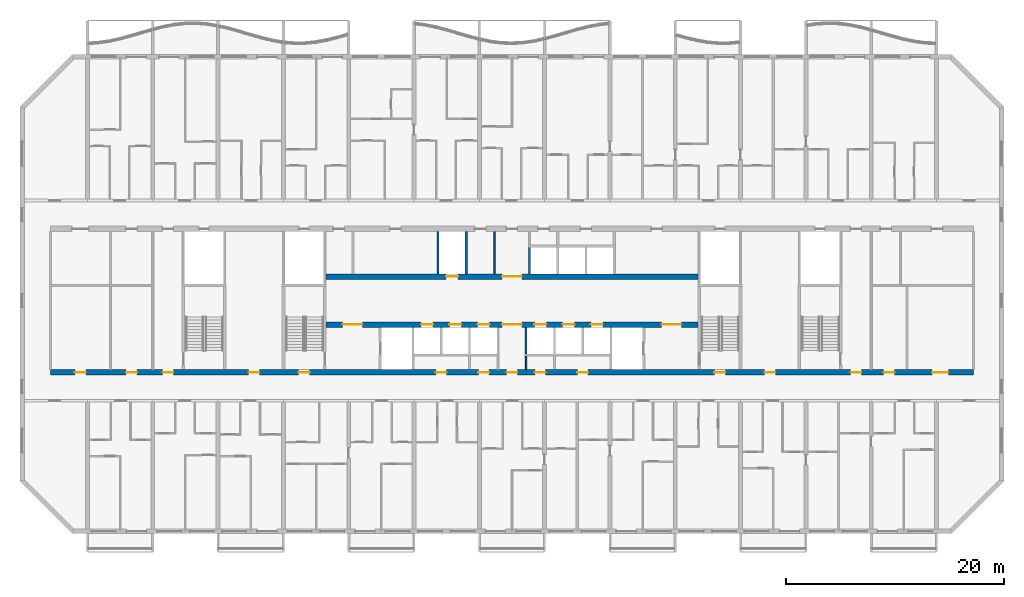
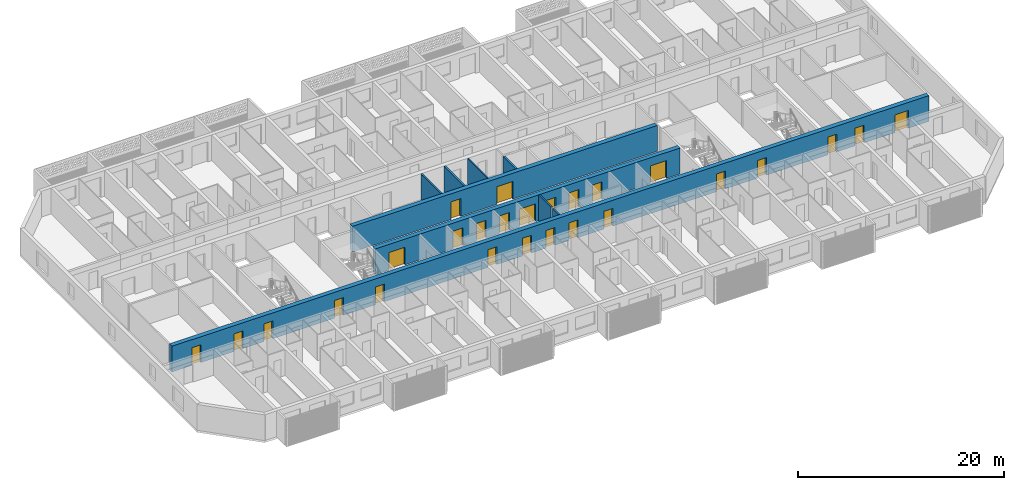
# One storey, part 7 of 27: 26 doors, 9 walls, 26 openings.
"""IFC4 building model written with IfcOpenShell, lengths in metres."""

from ifc_helpers import new_model, si_unit, direction, frame, frame_2d, origin, place, context, subcontext, project, spatial, rectangle, extrude, material, layer, layer_set, type_object, element, fill, save


model = new_model("IFC4")

# Units and contexts
model_context = context("Model", 3, precision=1e-05, world=origin(), true_north=direction((0.0, 1.0)))
body_context = subcontext(model_context, "Body", "Model", "MODEL_VIEW")
ifc_project = project(units=[si_unit("LENGTHUNIT", "METRE"), si_unit("AREAUNIT", "SQUARE_METRE"), si_unit("VOLUMEUNIT", "CUBIC_METRE"), si_unit("PLANEANGLEUNIT", "RADIAN"), si_unit("MASSUNIT", "GRAM", prefix="KILO")], contexts=[model_context])

# Site, building, storey
site_placement = place(None, origin())
site = spatial("IfcSite", under=ifc_project, at=site_placement, CompositionType="ELEMENT")
building_placement = place(site_placement, origin())
building = spatial("IfcBuilding", under=site, at=building_placement, Name="Poui Terraces", CompositionType="ELEMENT")
storey_placement = place(building_placement, frame((0.0, 0.0, 76.199951171875)))
storey = spatial("IfcBuildingStorey", under=building, at=storey_placement, Name="L20", CompositionType="ELEMENT", Elevation=76.199951171875)

# Wall, openings, doors
ifc_material_1 = material(Name="Concrete 65 MPa", Category="concrete")
ifc_layer_1 = layer(ifc_material_1, 0.5)
ifc_layer_set_1 = layer_set([ifc_layer_1], Name="Concrete 65 MPa")
wall_type_1 = type_object("IfcWallType", Name="CORE WALL 500 65 MPA", PredefinedType="SOLIDWALL", material=ifc_layer_set_1)
wall_1_placement = place(storey_placement, frame((33.925048828125, 19.0, 0.0), z_axis=(0.0, 0.0, 1.0), x_axis=(1.0, 0.0, 0.0)))
wall_1 = element("IfcWall", 1, at=wall_1_placement, inside=storey, type_object=wall_type_1, Name="CORE WALL", PredefinedType="SOLIDWALL", context=body_context, shape_type="SweptSolid", body=[
    extrude(rectangle(XDim=34.14990234375, YDim=0.5, at=frame_2d((17.074951171875, 0.0))), origin(), (0.0, 0.0, 1.0), 3.06005859375),
])
opening_1_placement = place(wall_1_placement, frame((16.175048828125, 0.0, 0.0)))
opening_1 = element("IfcOpeningElement", 2, at=opening_1_placement, cuts=wall_1, Name="Opening FDD60", PredefinedType="OPENING", context=body_context, shape_type="SweptSolid", body=[
    extrude(rectangle(XDim=1.800048828125, YDim=2.10009765625, at=frame_2d((0.89990234375, 1.050048828125))), frame((0.0, 0.260009765625, 0.0), z_axis=(0.0, -1.0, 0.0), x_axis=(1.0, 0.0, 0.0)), (0.0, 0.0, 1.0), 0.52001953125),
])
opening_2_placement = place(wall_1_placement, frame((1.52490234375, 0.0, 0.0)))
opening_2 = element("IfcOpeningElement", 3, at=opening_2_placement, cuts=wall_1, Name="Opening FDD60", PredefinedType="OPENING", context=body_context, shape_type="SweptSolid", body=[
    extrude(rectangle(XDim=1.800048828125, YDim=2.10009765625, at=frame_2d((0.89990234375, 1.050048828125))), frame((0.0, 0.260009765625, 0.0), z_axis=(0.0, -1.0, 0.0), x_axis=(1.0, 0.0, 0.0)), (0.0, 0.0, 1.0), 0.52001953125),
])
opening_3_placement = place(wall_1_placement, frame((8.72509765625, 0.0, 0.0)))
opening_3 = element("IfcOpeningElement", 4, at=opening_3_placement, cuts=wall_1, Name="Opening LD", PredefinedType="OPENING", context=body_context, shape_type="SweptSolid", body=[
    extrude(rectangle(XDim=1.10009765625, YDim=2.10009765625, at=frame_2d((0.550048828125, 1.050048828125))), frame((0.0, 0.260009765625, 0.0), z_axis=(0.0, -1.0, 0.0), x_axis=(1.0, 0.0, 0.0)), (0.0, 0.0, 1.0), 0.52001953125),
])
opening_4_placement = place(wall_1_placement, frame((11.324951171875, 0.0, 0.0)))
opening_4 = element("IfcOpeningElement", 5, at=opening_4_placement, cuts=wall_1, Name="Opening LD", PredefinedType="OPENING", context=body_context, shape_type="SweptSolid", body=[
    extrude(rectangle(XDim=1.10009765625, YDim=2.10009765625, at=frame_2d((0.550048828125, 1.050048828125))), frame((0.0, 0.260009765625, 0.0), z_axis=(0.0, -1.0, 0.0), x_axis=(1.0, 0.0, 0.0)), (0.0, 0.0, 1.0), 0.52001953125),
])
opening_5_placement = place(wall_1_placement, frame((13.925048828125, 0.0, 0.0)))
opening_5 = element("IfcOpeningElement", 6, at=opening_5_placement, cuts=wall_1, Name="Opening LD", PredefinedType="OPENING", context=body_context, shape_type="SweptSolid", body=[
    extrude(rectangle(XDim=1.10009765625, YDim=2.10009765625, at=frame_2d((0.550048828125, 1.050048828125))), frame((0.0, 0.260009765625, 0.0), z_axis=(0.0, -1.0, 0.0), x_axis=(1.0, 0.0, 0.0)), (0.0, 0.0, 1.0), 0.52001953125),
])
opening_6_placement = place(wall_1_placement, frame((19.125, 0.0, 0.0)))
opening_6 = element("IfcOpeningElement", 7, at=opening_6_placement, cuts=wall_1, Name="Opening LD", PredefinedType="OPENING", context=body_context, shape_type="SweptSolid", body=[
    extrude(rectangle(XDim=1.10009765625, YDim=2.10009765625, at=frame_2d((0.550048828125, 1.050048828125))), frame((0.0, 0.260009765625, 0.0), z_axis=(0.0, -1.0, 0.0), x_axis=(1.0, 0.0, 0.0)), (0.0, 0.0, 1.0), 0.52001953125),
])
opening_7_placement = place(wall_1_placement, frame((21.72509765625, 0.0, 0.0)))
opening_7 = element("IfcOpeningElement", 8, at=opening_7_placement, cuts=wall_1, Name="Opening LD", PredefinedType="OPENING", context=body_context, shape_type="SweptSolid", body=[
    extrude(rectangle(XDim=1.10009765625, YDim=2.10009765625, at=frame_2d((0.550048828125, 1.050048828125))), frame((0.0, 0.260009765625, 0.0), z_axis=(0.0, -1.0, 0.0), x_axis=(1.0, 0.0, 0.0)), (0.0, 0.0, 1.0), 0.52001953125),
])
opening_8_placement = place(wall_1_placement, frame((24.324951171875, 0.0, 0.0)))
opening_8 = element("IfcOpeningElement", 9, at=opening_8_placement, cuts=wall_1, Name="Opening LD", PredefinedType="OPENING", context=body_context, shape_type="SweptSolid", body=[
    extrude(rectangle(XDim=1.10009765625, YDim=2.10009765625, at=frame_2d((0.550048828125, 1.050048828125))), frame((0.0, 0.260009765625, 0.0), z_axis=(0.0, -1.0, 0.0), x_axis=(1.0, 0.0, 0.0)), (0.0, 0.0, 1.0), 0.52001953125),
])
opening_9_placement = place(wall_1_placement, frame((30.824951171875, 0.0, 0.0)))
opening_9 = element("IfcOpeningElement", 10, at=opening_9_placement, cuts=wall_1, Name="Opening FDD60", PredefinedType="OPENING", context=body_context, shape_type="SweptSolid", body=[
    extrude(rectangle(XDim=1.800048828125, YDim=2.10009765625, at=frame_2d((0.89990234375, 1.050048828125))), frame((0.0, 0.260009765625, 0.0), z_axis=(0.0, -1.0, 0.0), x_axis=(1.0, 0.0, 0.0)), (0.0, 0.0, 1.0), 0.52001953125),
])
ifc_material_2 = material(Name="Steel fire door", Category="steel")
door_type_1 = type_object("IfcDoorType", Name="DOUBLE LOBBY FIRE DOOR 1800 X 2100", OperationType="DOUBLE_DOOR_SINGLE_SWING", PredefinedType="DOOR", material=ifc_material_2)
door_1_placement = place(opening_1_placement, frame((1.800048828125, 0.0, 0.0), z_axis=(0.0, 0.0, 1.0), x_axis=(-1.0, 0.0, 0.0)))
door_1 = element("IfcDoor", 11, at=door_1_placement, inside=storey, type_object=door_type_1, Name="DOUBLE LOBBY FIRE DOOR 140", OperationType="DOUBLE_DOOR_SINGLE_SWING", OverallHeight=2.10009765625, OverallWidth=1.800048828125, PredefinedType="DOOR", context=body_context, shape_type="SweptSolid", body=[
    extrude(rectangle(XDim=1.800048828125, YDim=2.10009765625, at=frame_2d((0.89990234375, 1.050048828125))), frame((0.0, 0.02490234375, 0.0), z_axis=(0.0, -1.0, 0.0), x_axis=(1.0, 0.0, 0.0)), (0.0, 0.0, 1.0), 0.050048828125),
])
fill(opening_1, door_1)
door_2_placement = place(opening_2_placement, origin())
door_2 = element("IfcDoor", 12, at=door_2_placement, inside=storey, type_object=door_type_1, Name="DOUBLE LOBBY FIRE DOOR 141", OperationType="DOUBLE_DOOR_SINGLE_SWING", OverallHeight=2.10009765625, OverallWidth=1.800048828125, PredefinedType="DOOR", context=body_context, shape_type="SweptSolid", body=[
    extrude(rectangle(XDim=1.800048828125, YDim=2.10009765625, at=frame_2d((0.89990234375, 1.050048828125))), frame((0.0, 0.02490234375, 0.0), z_axis=(0.0, -1.0, 0.0), x_axis=(1.0, 0.0, 0.0)), (0.0, 0.0, 1.0), 0.050048828125),
])
fill(opening_2, door_2)
door_3_placement = place(opening_9_placement, origin())
door_3 = element("IfcDoor", 13, at=door_3_placement, inside=storey, type_object=door_type_1, Name="DOUBLE LOBBY FIRE DOOR 149", OperationType="DOUBLE_DOOR_SINGLE_SWING", OverallHeight=2.10009765625, OverallWidth=1.800048828125, PredefinedType="DOOR", context=body_context, shape_type="SweptSolid", body=[
    extrude(rectangle(XDim=1.800048828125, YDim=2.10009765625, at=frame_2d((0.89990234375, 1.050048828125))), frame((0.0, 0.02490234375, 0.0), z_axis=(0.0, -1.0, 0.0), x_axis=(1.0, 0.0, 0.0)), (0.0, 0.0, 1.0), 0.050048828125),
])
fill(opening_9, door_3)
ifc_material_3 = material(Name="Stainless steel sliding door", Category="steel")
door_type_2 = type_object("IfcDoorType", Name="LIFT LANDING DOOR 1100 X 2100", OperationType="DOUBLE_DOOR_SLIDING", PredefinedType="DOOR", material=ifc_material_3)
door_4_placement = place(opening_3_placement, origin())
door_4 = element("IfcDoor", 14, at=door_4_placement, inside=storey, type_object=door_type_2, Name="LANDING DOOR", OperationType="DOUBLE_DOOR_SLIDING", OverallHeight=2.10009765625, OverallWidth=1.10009765625, PredefinedType="DOOR", context=body_context, shape_type="SweptSolid", body=[
    extrude(rectangle(XDim=1.10009765625, YDim=2.10009765625, at=frame_2d((0.550048828125, 1.050048828125))), frame((0.0, 0.02490234375, 0.0), z_axis=(0.0, -1.0, 0.0), x_axis=(1.0, 0.0, 0.0)), (0.0, 0.0, 1.0), 0.050048828125),
])
fill(opening_3, door_4)
door_5_placement = place(opening_4_placement, origin())
door_5 = element("IfcDoor", 15, at=door_5_placement, inside=storey, type_object=door_type_2, Name="LANDING DOOR", OperationType="DOUBLE_DOOR_SLIDING", OverallHeight=2.10009765625, OverallWidth=1.10009765625, PredefinedType="DOOR", context=body_context, shape_type="SweptSolid", body=[
    extrude(rectangle(XDim=1.10009765625, YDim=2.10009765625, at=frame_2d((0.550048828125, 1.050048828125))), frame((0.0, 0.02490234375, 0.0), z_axis=(0.0, -1.0, 0.0), x_axis=(1.0, 0.0, 0.0)), (0.0, 0.0, 1.0), 0.050048828125),
])
fill(opening_4, door_5)
door_6_placement = place(opening_5_placement, origin())
door_6 = element("IfcDoor", 16, at=door_6_placement, inside=storey, type_object=door_type_2, Name="LANDING DOOR", OperationType="DOUBLE_DOOR_SLIDING", OverallHeight=2.10009765625, OverallWidth=1.10009765625, PredefinedType="DOOR", context=body_context, shape_type="SweptSolid", body=[
    extrude(rectangle(XDim=1.10009765625, YDim=2.10009765625, at=frame_2d((0.550048828125, 1.050048828125))), frame((0.0, 0.02490234375, 0.0), z_axis=(0.0, -1.0, 0.0), x_axis=(1.0, 0.0, 0.0)), (0.0, 0.0, 1.0), 0.050048828125),
])
fill(opening_5, door_6)
door_7_placement = place(opening_6_placement, origin())
door_7 = element("IfcDoor", 17, at=door_7_placement, inside=storey, type_object=door_type_2, Name="LANDING DOOR", OperationType="DOUBLE_DOOR_SLIDING", OverallHeight=2.10009765625, OverallWidth=1.10009765625, PredefinedType="DOOR", context=body_context, shape_type="SweptSolid", body=[
    extrude(rectangle(XDim=1.10009765625, YDim=2.10009765625, at=frame_2d((0.550048828125, 1.050048828125))), frame((0.0, 0.02490234375, 0.0), z_axis=(0.0, -1.0, 0.0), x_axis=(1.0, 0.0, 0.0)), (0.0, 0.0, 1.0), 0.050048828125),
])
fill(opening_6, door_7)
door_8_placement = place(opening_7_placement, origin())
door_8 = element("IfcDoor", 18, at=door_8_placement, inside=storey, type_object=door_type_2, Name="LANDING DOOR", OperationType="DOUBLE_DOOR_SLIDING", OverallHeight=2.10009765625, OverallWidth=1.10009765625, PredefinedType="DOOR", context=body_context, shape_type="SweptSolid", body=[
    extrude(rectangle(XDim=1.10009765625, YDim=2.10009765625, at=frame_2d((0.550048828125, 1.050048828125))), frame((0.0, 0.02490234375, 0.0), z_axis=(0.0, -1.0, 0.0), x_axis=(1.0, 0.0, 0.0)), (0.0, 0.0, 1.0), 0.050048828125),
])
fill(opening_7, door_8)
door_9_placement = place(opening_8_placement, origin())
door_9 = element("IfcDoor", 19, at=door_9_placement, inside=storey, type_object=door_type_2, Name="LANDING DOOR", OperationType="DOUBLE_DOOR_SLIDING", OverallHeight=2.10009765625, OverallWidth=1.10009765625, PredefinedType="DOOR", context=body_context, shape_type="SweptSolid", body=[
    extrude(rectangle(XDim=1.10009765625, YDim=2.10009765625, at=frame_2d((0.550048828125, 1.050048828125))), frame((0.0, 0.02490234375, 0.0), z_axis=(0.0, -1.0, 0.0), x_axis=(1.0, 0.0, 0.0)), (0.0, 0.0, 1.0), 0.050048828125),
])
fill(opening_8, door_9)

wall_2_placement = place(storey_placement, frame((33.925048828125, 23.39990234375, 0.0), z_axis=(0.0, 0.0, 1.0), x_axis=(1.0, 0.0, 0.0)))
wall_2 = element("IfcWall", 20, at=wall_2_placement, inside=storey, type_object=wall_type_1, Name="CORE WALL", PredefinedType="SOLIDWALL", context=body_context, shape_type="SweptSolid", body=[
    extrude(rectangle(XDim=34.14990234375, YDim=0.5, at=frame_2d((17.074951171875, 0.0))), origin(), (0.0, 0.0, 1.0), 3.06005859375),
])
opening_10_placement = place(wall_2_placement, frame((16.175048828125, 0.0, 0.0)))
opening_10 = element("IfcOpeningElement", 21, at=opening_10_placement, cuts=wall_2, Name="Opening FDD60", PredefinedType="OPENING", context=body_context, shape_type="SweptSolid", body=[
    extrude(rectangle(XDim=1.800048828125, YDim=2.10009765625, at=frame_2d((0.89990234375, 1.050048828125))), frame((0.0, 0.260009765625, 0.0), z_axis=(0.0, -1.0, 0.0), x_axis=(1.0, 0.0, 0.0)), (0.0, 0.0, 1.0), 0.52001953125),
])
opening_11_placement = place(wall_2_placement, frame((11.02490234375, 0.0, 0.0)))
opening_11 = element("IfcOpeningElement", 22, at=opening_11_placement, cuts=wall_2, Name="Opening LD", PredefinedType="OPENING", context=body_context, shape_type="SweptSolid", body=[
    extrude(rectangle(XDim=1.10009765625, YDim=2.10009765625, at=frame_2d((0.550048828125, 1.050048828125))), frame((0.0, 0.260009765625, 0.0), z_axis=(0.0, -1.0, 0.0), x_axis=(1.0, 0.0, 0.0)), (0.0, 0.0, 1.0), 0.52001953125),
])
door_10_placement = place(opening_10_placement, origin())
door_10 = element("IfcDoor", 23, at=door_10_placement, inside=storey, type_object=door_type_1, Name="DOUBLE LOBBY FIRE DOOR 139", OperationType="DOUBLE_DOOR_SINGLE_SWING", OverallHeight=2.10009765625, OverallWidth=1.800048828125, PredefinedType="DOOR", context=body_context, shape_type="SweptSolid", body=[
    extrude(rectangle(XDim=1.800048828125, YDim=2.10009765625, at=frame_2d((0.89990234375, 1.050048828125))), frame((0.0, 0.02490234375, 0.0), z_axis=(0.0, -1.0, 0.0), x_axis=(1.0, 0.0, 0.0)), (0.0, 0.0, 1.0), 0.050048828125),
])
fill(opening_10, door_10)
door_11_placement = place(opening_11_placement, origin())
door_11 = element("IfcDoor", 24, at=door_11_placement, inside=storey, type_object=door_type_2, Name="LANDING DOOR", OperationType="DOUBLE_DOOR_SLIDING", OverallHeight=2.10009765625, OverallWidth=1.10009765625, PredefinedType="DOOR", context=body_context, shape_type="SweptSolid", body=[
    extrude(rectangle(XDim=1.10009765625, YDim=2.10009765625, at=frame_2d((0.550048828125, 1.050048828125))), frame((0.0, 0.02490234375, 0.0), z_axis=(0.0, -1.0, 0.0), x_axis=(1.0, 0.0, 0.0)), (0.0, 0.0, 1.0), 0.050048828125),
])
fill(opening_11, door_11)

# Walls
ifc_material_4 = material(Name="Fire-rated plasterboard wall")
ifc_layer_2 = layer(ifc_material_4, 0.14990234375)
ifc_layer_set_2 = layer_set([ifc_layer_2], Name="Fire-rated plasterboard wall")
wall_type_2 = type_object("IfcWallType", Name="CORRIDOR WALL 150", PredefinedType="PARTITIONING", material=ifc_layer_set_2)
wall_3_placement = place(storey_placement, frame((49.39990234375, 23.659912109375, 0.0), z_axis=(0.0, 0.0, 1.0), x_axis=(0.0, 1.0, 0.0)))
element("IfcWall", 25, at=wall_3_placement, inside=storey, type_object=wall_type_2, Name="CORRIDOR WALL 150", PredefinedType="PARTITIONING", context=body_context, shape_type="SweptSolid", body=[
    extrude(rectangle(XDim=3.880126953125, YDim=0.14990234375, at=frame_2d((1.93994140625, 0.0))), origin(), (0.0, 0.0, 1.0), 3.06005859375),
])
wall_4_placement = place(storey_placement, frame((52.300048828125, 14.860107421875, 0.0), z_axis=(0.0, 0.0, 1.0), x_axis=(0.0, 1.0, 0.0)))
element("IfcWall", 26, at=wall_4_placement, inside=storey, type_object=wall_type_2, Name="CORRIDOR WALL 150", PredefinedType="PARTITIONING", context=body_context, shape_type="SweptSolid", body=[
    extrude(rectangle(XDim=1.239990234375, YDim=0.14990234375, at=frame_2d((0.6201171875, 0.0))), origin(), (0.0, 0.0, 1.0), 3.06005859375),
])
ifc_material_5 = material(Name="Fire-rated masonry shaft wall", Category="masonry")
ifc_layer_3 = layer(ifc_material_5, 0.199951171875)
ifc_layer_set_3 = layer_set([ifc_layer_3], Name="Fire-rated masonry shaft wall")
wall_type_3 = type_object("IfcWallType", Name="SHAFT WALL 200", PredefinedType="PARTITIONING", material=ifc_layer_set_3)
for number, where, z_axis, x_axis, name in (
    (27, (44.199951171875, 23.659912109375, 0.0), (0.0, 0.0, 1.0), (0.0, 1.0, 0.0), "SHAFT WALL 200"),
    (28, (46.800048828125, 23.659912109375, 0.0), (0.0, 0.0, 1.0), (0.0, 1.0, 0.0), "SHAFT WALL 200"),
):
    element("IfcWall", number, at=place(storey_placement, frame(where, z_axis=z_axis, x_axis=x_axis)), inside=storey, type_object=wall_type_3, Name=name, PredefinedType="PARTITIONING", context=body_context, shape_type="SweptSolid", body=[
        extrude(rectangle(XDim=3.880126953125, YDim=0.199951171875, at=frame_2d((1.93994140625, 0.0))), origin(), (0.0, 0.0, 1.0), 3.06005859375),
    ])
wall_5_placement = place(storey_placement, frame((52.300048828125, 16.300048828125, 0.0), z_axis=(0.0, 0.0, 1.0), x_axis=(0.0, 1.0, 0.0)))
element("IfcWall", 29, at=wall_5_placement, inside=storey, type_object=wall_type_3, Name="SHAFT WALL 200", PredefinedType="PARTITIONING", context=body_context, shape_type="SweptSolid", body=[
    extrude(rectangle(XDim=2.43994140625, YDim=0.199951171875, at=frame_2d((1.219970703125, 0.0))), origin(), (0.0, 0.0, 1.0), 3.06005859375),
])
wall_6_placement = place(storey_placement, frame((52.60009765625, 23.659912109375, 0.0), z_axis=(0.0, 0.0, 1.0), x_axis=(0.0, 1.0, 0.0)))
element("IfcWall", 30, at=wall_6_placement, inside=storey, type_object=wall_type_3, Name="SHAFT WALL 200", PredefinedType="PARTITIONING", context=body_context, shape_type="SweptSolid", body=[
    extrude(rectangle(XDim=2.440185546875, YDim=0.199951171875, at=frame_2d((1.22021484375, 0.0))), origin(), (0.0, 0.0, 1.0), 3.06005859375),
])

# Wall, openings, doors
ifc_layer_4 = layer(ifc_material_1, 0.5)
ifc_layer_set_4 = layer_set([ifc_layer_4], Name="Concrete 65 MPa")
wall_type_4 = type_object("IfcWallType", Name="SPINE WALL 500 65 MPA", PredefinedType="SOLIDWALL", material=ifc_layer_set_4)
wall_7_placement = place(storey_placement, frame((8.60009765625, 14.60009765625, 0.0), z_axis=(0.0, 0.0, 1.0), x_axis=(1.0, 0.0, 0.0)))
wall_7 = element("IfcWall", 31, at=wall_7_placement, inside=storey, type_object=wall_type_4, Name="SPINE WALL", PredefinedType="SOLIDWALL", context=body_context, shape_type="SweptSolid", body=[
    extrude(rectangle(XDim=84.7998046875, YDim=0.5, at=frame_2d((42.39990234375, 0.0))), origin(), (0.0, 0.0, 1.0), 3.06005859375),
])
opening_12_placement = place(wall_7_placement, frame((2.25, 0.0, 0.0)))
opening_12 = element("IfcOpeningElement", 32, at=opening_12_placement, cuts=wall_7, Name="Opening FD60", PredefinedType="OPENING", context=body_context, shape_type="SweptSolid", body=[
    extrude(rectangle(XDim=1.0, YDim=2.10009765625, at=frame_2d((0.5, 1.050048828125))), frame((0.0, 0.260009765625, 0.0), z_axis=(0.0, -1.0, 0.0), x_axis=(1.0, 0.0, 0.0)), (0.0, 0.0, 1.0), 0.52001953125),
])
opening_13_placement = place(wall_7_placement, frame((6.949951171875, 0.0, 0.0)))
opening_13 = element("IfcOpeningElement", 33, at=opening_13_placement, cuts=wall_7, Name="Opening D100", PredefinedType="OPENING", context=body_context, shape_type="SweptSolid", body=[
    extrude(rectangle(XDim=1.0, YDim=2.10009765625, at=frame_2d((0.5, 1.050048828125))), frame((0.0, 0.260009765625, 0.0), z_axis=(0.0, -1.0, 0.0), x_axis=(1.0, 0.0, 0.0)), (0.0, 0.0, 1.0), 0.52001953125),
])
opening_14_placement = place(wall_7_placement, frame((10.300048828125, 0.0, 0.0)))
opening_14 = element("IfcOpeningElement", 34, at=opening_14_placement, cuts=wall_7, Name="Opening FDL", PredefinedType="OPENING", context=body_context, shape_type="SweptSolid", body=[
    extrude(rectangle(XDim=1.0, YDim=2.10009765625, at=frame_2d((0.5, 1.050048828125))), frame((0.0, 0.260009765625, 0.0), z_axis=(0.0, -1.0, 0.0), x_axis=(1.0, 0.0, 0.0)), (0.0, 0.0, 1.0), 0.52001953125),
])
opening_15_placement = place(wall_7_placement, frame((18.199951171875, 0.0, 0.0)))
opening_15 = element("IfcOpeningElement", 35, at=opening_15_placement, cuts=wall_7, Name="Opening D100", PredefinedType="OPENING", context=body_context, shape_type="SweptSolid", body=[
    extrude(rectangle(XDim=1.0, YDim=2.10009765625, at=frame_2d((0.5, 1.050048828125))), frame((0.0, 0.260009765625, 0.0), z_axis=(0.0, -1.0, 0.0), x_axis=(1.0, 0.0, 0.0)), (0.0, 0.0, 1.0), 0.52001953125),
])
opening_16_placement = place(wall_7_placement, frame((22.800048828125, 0.0, 0.0)))
opening_16 = element("IfcOpeningElement", 36, at=opening_16_placement, cuts=wall_7, Name="Opening FD60S", PredefinedType="OPENING", context=body_context, shape_type="SweptSolid", body=[
    extrude(rectangle(XDim=1.0, YDim=2.10009765625, at=frame_2d((0.5, 1.050048828125))), frame((0.0, 0.260009765625, 0.0), z_axis=(0.0, -1.0, 0.0), x_axis=(1.0, 0.0, 0.0)), (0.0, 0.0, 1.0), 0.52001953125),
])
opening_17_placement = place(wall_7_placement, frame((35.39990234375, 0.0, 0.0)))
opening_17 = element("IfcOpeningElement", 37, at=opening_17_placement, cuts=wall_7, Name="Opening FD60", PredefinedType="OPENING", context=body_context, shape_type="SweptSolid", body=[
    extrude(rectangle(XDim=1.0, YDim=2.10009765625, at=frame_2d((0.5, 1.050048828125))), frame((0.0, 0.260009765625, 0.0), z_axis=(0.0, -1.0, 0.0), x_axis=(1.0, 0.0, 0.0)), (0.0, 0.0, 1.0), 0.52001953125),
])
opening_18_placement = place(wall_7_placement, frame((39.300048828125, 0.0, 0.0)))
opening_18 = element("IfcOpeningElement", 38, at=opening_18_placement, cuts=wall_7, Name="Opening FD60", PredefinedType="OPENING", context=body_context, shape_type="SweptSolid", body=[
    extrude(rectangle(XDim=1.0, YDim=2.10009765625, at=frame_2d((0.5, 1.050048828125))), frame((0.0, 0.260009765625, 0.0), z_axis=(0.0, -1.0, 0.0), x_axis=(1.0, 0.0, 0.0)), (0.0, 0.0, 1.0), 0.52001953125),
])
opening_19_placement = place(wall_7_placement, frame((41.89990234375, 0.0, 0.0)))
opening_19 = element("IfcOpeningElement", 39, at=opening_19_placement, cuts=wall_7, Name="Opening FDL", PredefinedType="OPENING", context=body_context, shape_type="SweptSolid", body=[
    extrude(rectangle(XDim=1.0, YDim=2.10009765625, at=frame_2d((0.5, 1.050048828125))), frame((0.0, 0.260009765625, 0.0), z_axis=(0.0, -1.0, 0.0), x_axis=(1.0, 0.0, 0.0)), (0.0, 0.0, 1.0), 0.52001953125),
])
opening_20_placement = place(wall_7_placement, frame((44.5, 0.0, 0.0)))
opening_20 = element("IfcOpeningElement", 40, at=opening_20_placement, cuts=wall_7, Name="Opening FD60", PredefinedType="OPENING", context=body_context, shape_type="SweptSolid", body=[
    extrude(rectangle(XDim=1.0, YDim=2.10009765625, at=frame_2d((0.5, 1.050048828125))), frame((0.0, 0.260009765625, 0.0), z_axis=(0.0, -1.0, 0.0), x_axis=(1.0, 0.0, 0.0)), (0.0, 0.0, 1.0), 0.52001953125),
])
opening_21_placement = place(wall_7_placement, frame((48.39990234375, 0.0, 0.0)))
opening_21 = element("IfcOpeningElement", 41, at=opening_21_placement, cuts=wall_7, Name="Opening FD60", PredefinedType="OPENING", context=body_context, shape_type="SweptSolid", body=[
    extrude(rectangle(XDim=1.0, YDim=2.10009765625, at=frame_2d((0.5, 1.050048828125))), frame((0.0, 0.260009765625, 0.0), z_axis=(0.0, -1.0, 0.0), x_axis=(1.0, 0.0, 0.0)), (0.0, 0.0, 1.0), 0.52001953125),
])
opening_22_placement = place(wall_7_placement, frame((61.0, 0.0, 0.0)))
opening_22 = element("IfcOpeningElement", 42, at=opening_22_placement, cuts=wall_7, Name="Opening FD60S", PredefinedType="OPENING", context=body_context, shape_type="SweptSolid", body=[
    extrude(rectangle(XDim=1.0, YDim=2.10009765625, at=frame_2d((0.5, 1.050048828125))), frame((0.0, 0.260009765625, 0.0), z_axis=(0.0, -1.0, 0.0), x_axis=(1.0, 0.0, 0.0)), (0.0, 0.0, 1.0), 0.52001953125),
])
opening_23_placement = place(wall_7_placement, frame((65.60009765625, 0.0, 0.0)))
opening_23 = element("IfcOpeningElement", 43, at=opening_23_placement, cuts=wall_7, Name="Opening D100", PredefinedType="OPENING", context=body_context, shape_type="SweptSolid", body=[
    extrude(rectangle(XDim=1.0, YDim=2.10009765625, at=frame_2d((0.5, 1.050048828125))), frame((0.0, 0.260009765625, 0.0), z_axis=(0.0, -1.0, 0.0), x_axis=(1.0, 0.0, 0.0)), (0.0, 0.0, 1.0), 0.52001953125),
])
opening_24_placement = place(wall_7_placement, frame((73.5, 0.0, 0.0)))
opening_24 = element("IfcOpeningElement", 44, at=opening_24_placement, cuts=wall_7, Name="Opening FDL", PredefinedType="OPENING", context=body_context, shape_type="SweptSolid", body=[
    extrude(rectangle(XDim=1.0, YDim=2.10009765625, at=frame_2d((0.5, 1.050048828125))), frame((0.0, 0.260009765625, 0.0), z_axis=(0.0, -1.0, 0.0), x_axis=(1.0, 0.0, 0.0)), (0.0, 0.0, 1.0), 0.52001953125),
])
opening_25_placement = place(wall_7_placement, frame((76.550048828125, 0.0, 0.0)))
opening_25 = element("IfcOpeningElement", 45, at=opening_25_placement, cuts=wall_7, Name="Opening D100", PredefinedType="OPENING", context=body_context, shape_type="SweptSolid", body=[
    extrude(rectangle(XDim=1.0, YDim=2.10009765625, at=frame_2d((0.5, 1.050048828125))), frame((0.0, 0.260009765625, 0.0), z_axis=(0.0, -1.0, 0.0), x_axis=(1.0, 0.0, 0.0)), (0.0, 0.0, 1.0), 0.52001953125),
])
opening_26_placement = place(wall_7_placement, frame((81.0, 0.0, 0.0)))
opening_26 = element("IfcOpeningElement", 46, at=opening_26_placement, cuts=wall_7, Name="Opening FDP", PredefinedType="OPENING", context=body_context, shape_type="SweptSolid", body=[
    extrude(rectangle(XDim=1.5, YDim=2.10009765625, at=frame_2d((0.75, 1.050048828125))), frame((0.0, 0.260009765625, 0.0), z_axis=(0.0, -1.0, 0.0), x_axis=(1.0, 0.0, 0.0)), (0.0, 0.0, 1.0), 0.52001953125),
])
ifc_material_6 = material(Name="Solid core timber door", Category="wood")
door_type_3 = type_object("IfcDoorType", Name="ACCESSIBLE INTERNAL DOOR 1000 X 2100", OperationType="NOTDEFINED", PredefinedType="DOOR", material=ifc_material_6)
door_12_placement = place(opening_13_placement, frame((1.0, 0.0, 0.0), z_axis=(0.0, 0.0, 1.0), x_axis=(-1.0, 0.0, 0.0)))
door_12 = element("IfcDoor", 47, at=door_12_placement, inside=storey, type_object=door_type_3, Name="ACCESSIBLE INTERNAL DOOR 019", OperationType="SINGLE_SWING_RIGHT", OverallHeight=2.10009765625, OverallWidth=1.0, PredefinedType="DOOR", context=body_context, shape_type="SweptSolid", body=[
    extrude(rectangle(XDim=1.0, YDim=2.10009765625, at=frame_2d((0.5, 1.050048828125))), frame((0.0, 0.02490234375, 0.0), z_axis=(0.0, -1.0, 0.0), x_axis=(1.0, 0.0, 0.0)), (0.0, 0.0, 1.0), 0.050048828125),
])
fill(opening_13, door_12)
door_13_placement = place(opening_15_placement, frame((1.0, 0.0, 0.0), z_axis=(0.0, 0.0, 1.0), x_axis=(-1.0, 0.0, 0.0)))
door_13 = element("IfcDoor", 48, at=door_13_placement, inside=storey, type_object=door_type_3, Name="ACCESSIBLE INTERNAL DOOR 021", OperationType="SINGLE_SWING_LEFT", OverallHeight=2.10009765625, OverallWidth=1.0, PredefinedType="DOOR", context=body_context, shape_type="SweptSolid", body=[
    extrude(rectangle(XDim=1.0, YDim=2.10009765625, at=frame_2d((0.5, 1.050048828125))), frame((0.0, 0.02490234375, 0.0), z_axis=(0.0, -1.0, 0.0), x_axis=(1.0, 0.0, 0.0)), (0.0, 0.0, 1.0), 0.050048828125),
])
fill(opening_15, door_13)
door_14_placement = place(opening_23_placement, frame((1.0, 0.0, 0.0), z_axis=(0.0, 0.0, 1.0), x_axis=(-1.0, 0.0, 0.0)))
door_14 = element("IfcDoor", 49, at=door_14_placement, inside=storey, type_object=door_type_3, Name="ACCESSIBLE INTERNAL DOOR 029", OperationType="SINGLE_SWING_RIGHT", OverallHeight=2.10009765625, OverallWidth=1.0, PredefinedType="DOOR", context=body_context, shape_type="SweptSolid", body=[
    extrude(rectangle(XDim=1.0, YDim=2.10009765625, at=frame_2d((0.5, 1.050048828125))), frame((0.0, 0.02490234375, 0.0), z_axis=(0.0, -1.0, 0.0), x_axis=(1.0, 0.0, 0.0)), (0.0, 0.0, 1.0), 0.050048828125),
])
fill(opening_23, door_14)
door_15_placement = place(opening_25_placement, frame((1.0, 0.0, 0.0), z_axis=(0.0, 0.0, 1.0), x_axis=(-1.0, 0.0, 0.0)))
door_15 = element("IfcDoor", 50, at=door_15_placement, inside=storey, type_object=door_type_3, Name="ACCESSIBLE INTERNAL DOOR 031", OperationType="SINGLE_SWING_LEFT", OverallHeight=2.10009765625, OverallWidth=1.0, PredefinedType="DOOR", context=body_context, shape_type="SweptSolid", body=[
    extrude(rectangle(XDim=1.0, YDim=2.10009765625, at=frame_2d((0.5, 1.050048828125))), frame((0.0, 0.02490234375, 0.0), z_axis=(0.0, -1.0, 0.0), x_axis=(1.0, 0.0, 0.0)), (0.0, 0.0, 1.0), 0.050048828125),
])
fill(opening_25, door_15)
door_type_4 = type_object("IfcDoorType", Name="LOBBY FIRE DOOR 1000 X 2100", OperationType="NOTDEFINED", PredefinedType="DOOR", material=ifc_material_2)
door_16_placement = place(opening_14_placement, frame((1.0, 0.0, 0.0), z_axis=(0.0, 0.0, 1.0), x_axis=(-1.0, 0.0, 0.0)))
door_16 = element("IfcDoor", 51, at=door_16_placement, inside=storey, type_object=door_type_4, Name="LOBBY FIRE DOOR 020", OperationType="SINGLE_SWING_RIGHT", OverallHeight=2.10009765625, OverallWidth=1.0, PredefinedType="DOOR", context=body_context, shape_type="SweptSolid", body=[
    extrude(rectangle(XDim=1.0, YDim=2.10009765625, at=frame_2d((0.5, 1.050048828125))), frame((0.0, 0.02490234375, 0.0), z_axis=(0.0, -1.0, 0.0), x_axis=(1.0, 0.0, 0.0)), (0.0, 0.0, 1.0), 0.050048828125),
])
fill(opening_14, door_16)
door_17_placement = place(opening_19_placement, frame((1.0, 0.0, 0.0), z_axis=(0.0, 0.0, 1.0), x_axis=(-1.0, 0.0, 0.0)))
door_17 = element("IfcDoor", 52, at=door_17_placement, inside=storey, type_object=door_type_4, Name="LOBBY FIRE DOOR 025", OperationType="SINGLE_SWING_LEFT", OverallHeight=2.10009765625, OverallWidth=1.0, PredefinedType="DOOR", context=body_context, shape_type="SweptSolid", body=[
    extrude(rectangle(XDim=1.0, YDim=2.10009765625, at=frame_2d((0.5, 1.050048828125))), frame((0.0, 0.02490234375, 0.0), z_axis=(0.0, -1.0, 0.0), x_axis=(1.0, 0.0, 0.0)), (0.0, 0.0, 1.0), 0.050048828125),
])
fill(opening_19, door_17)
door_18_placement = place(opening_24_placement, frame((1.0, 0.0, 0.0), z_axis=(0.0, 0.0, 1.0), x_axis=(-1.0, 0.0, 0.0)))
door_18 = element("IfcDoor", 53, at=door_18_placement, inside=storey, type_object=door_type_4, Name="LOBBY FIRE DOOR 030", OperationType="SINGLE_SWING_LEFT", OverallHeight=2.10009765625, OverallWidth=1.0, PredefinedType="DOOR", context=body_context, shape_type="SweptSolid", body=[
    extrude(rectangle(XDim=1.0, YDim=2.10009765625, at=frame_2d((0.5, 1.050048828125))), frame((0.0, 0.02490234375, 0.0), z_axis=(0.0, -1.0, 0.0), x_axis=(1.0, 0.0, 0.0)), (0.0, 0.0, 1.0), 0.050048828125),
])
fill(opening_24, door_18)
door_type_5 = type_object("IfcDoorType", Name="PLANT ROOM DOOR PAIR 1500 X 2100", OperationType="DOUBLE_DOOR_SINGLE_SWING", PredefinedType="DOOR", material=ifc_material_2)
door_19_placement = place(opening_26_placement, frame((1.5, 0.0, 0.0), z_axis=(0.0, 0.0, 1.0), x_axis=(-1.0, 0.0, 0.0)))
door_19 = element("IfcDoor", 54, at=door_19_placement, inside=storey, type_object=door_type_5, Name="PLANT ROOM DOOR PAIR 032", OperationType="DOUBLE_DOOR_SINGLE_SWING", OverallHeight=2.10009765625, OverallWidth=1.5, PredefinedType="DOOR", context=body_context, shape_type="SweptSolid", body=[
    extrude(rectangle(XDim=1.5, YDim=2.10009765625, at=frame_2d((0.75, 1.050048828125))), frame((0.0, 0.02490234375, 0.0), z_axis=(0.0, -1.0, 0.0), x_axis=(1.0, 0.0, 0.0)), (0.0, 0.0, 1.0), 0.050048828125),
])
fill(opening_26, door_19)
door_type_6 = type_object("IfcDoorType", Name="SERVICE ROOM FIRE DOOR 1000 X 2100", OperationType="NOTDEFINED", PredefinedType="DOOR", material=ifc_material_2)
door_20_placement = place(opening_12_placement, frame((1.0, 0.0, 0.0), z_axis=(0.0, 0.0, 1.0), x_axis=(-1.0, 0.0, 0.0)))
door_20 = element("IfcDoor", 55, at=door_20_placement, inside=storey, type_object=door_type_6, Name="SERVICE ROOM FIRE DOOR 018", OperationType="SINGLE_SWING_LEFT", OverallHeight=2.10009765625, OverallWidth=1.0, PredefinedType="DOOR", context=body_context, shape_type="SweptSolid", body=[
    extrude(rectangle(XDim=1.0, YDim=2.10009765625, at=frame_2d((0.5, 1.050048828125))), frame((0.0, 0.02490234375, 0.0), z_axis=(0.0, -1.0, 0.0), x_axis=(1.0, 0.0, 0.0)), (0.0, 0.0, 1.0), 0.050048828125),
])
fill(opening_12, door_20)
door_21_placement = place(opening_17_placement, frame((1.0, 0.0, 0.0), z_axis=(0.0, 0.0, 1.0), x_axis=(-1.0, 0.0, 0.0)))
door_21 = element("IfcDoor", 56, at=door_21_placement, inside=storey, type_object=door_type_6, Name="SERVICE ROOM FIRE DOOR 023", OperationType="SINGLE_SWING_LEFT", OverallHeight=2.10009765625, OverallWidth=1.0, PredefinedType="DOOR", context=body_context, shape_type="SweptSolid", body=[
    extrude(rectangle(XDim=1.0, YDim=2.10009765625, at=frame_2d((0.5, 1.050048828125))), frame((0.0, 0.02490234375, 0.0), z_axis=(0.0, -1.0, 0.0), x_axis=(1.0, 0.0, 0.0)), (0.0, 0.0, 1.0), 0.050048828125),
])
fill(opening_17, door_21)
door_22_placement = place(opening_18_placement, frame((1.0, 0.0, 0.0), z_axis=(0.0, 0.0, 1.0), x_axis=(-1.0, 0.0, 0.0)))
door_22 = element("IfcDoor", 57, at=door_22_placement, inside=storey, type_object=door_type_6, Name="SERVICE ROOM FIRE DOOR 024", OperationType="SINGLE_SWING_RIGHT", OverallHeight=2.10009765625, OverallWidth=1.0, PredefinedType="DOOR", context=body_context, shape_type="SweptSolid", body=[
    extrude(rectangle(XDim=1.0, YDim=2.10009765625, at=frame_2d((0.5, 1.050048828125))), frame((0.0, 0.02490234375, 0.0), z_axis=(0.0, -1.0, 0.0), x_axis=(1.0, 0.0, 0.0)), (0.0, 0.0, 1.0), 0.050048828125),
])
fill(opening_18, door_22)
door_23_placement = place(opening_20_placement, frame((1.0, 0.0, 0.0), z_axis=(0.0, 0.0, 1.0), x_axis=(-1.0, 0.0, 0.0)))
door_23 = element("IfcDoor", 58, at=door_23_placement, inside=storey, type_object=door_type_6, Name="SERVICE ROOM FIRE DOOR 026", OperationType="SINGLE_SWING_LEFT", OverallHeight=2.10009765625, OverallWidth=1.0, PredefinedType="DOOR", context=body_context, shape_type="SweptSolid", body=[
    extrude(rectangle(XDim=1.0, YDim=2.10009765625, at=frame_2d((0.5, 1.050048828125))), frame((0.0, 0.02490234375, 0.0), z_axis=(0.0, -1.0, 0.0), x_axis=(1.0, 0.0, 0.0)), (0.0, 0.0, 1.0), 0.050048828125),
])
fill(opening_20, door_23)
door_24_placement = place(opening_21_placement, frame((1.0, 0.0, 0.0), z_axis=(0.0, 0.0, 1.0), x_axis=(-1.0, 0.0, 0.0)))
door_24 = element("IfcDoor", 59, at=door_24_placement, inside=storey, type_object=door_type_6, Name="SERVICE ROOM FIRE DOOR 027", OperationType="SINGLE_SWING_RIGHT", OverallHeight=2.10009765625, OverallWidth=1.0, PredefinedType="DOOR", context=body_context, shape_type="SweptSolid", body=[
    extrude(rectangle(XDim=1.0, YDim=2.10009765625, at=frame_2d((0.5, 1.050048828125))), frame((0.0, 0.02490234375, 0.0), z_axis=(0.0, -1.0, 0.0), x_axis=(1.0, 0.0, 0.0)), (0.0, 0.0, 1.0), 0.050048828125),
])
fill(opening_21, door_24)
door_type_7 = type_object("IfcDoorType", Name="STAIR DOOR 1000 X 2100", OperationType="NOTDEFINED", PredefinedType="DOOR", material=ifc_material_2)
door_25_placement = place(opening_16_placement, origin())
door_25 = element("IfcDoor", 60, at=door_25_placement, inside=storey, type_object=door_type_7, Name="STAIR DOOR 022", OperationType="SINGLE_SWING_RIGHT", OverallHeight=2.10009765625, OverallWidth=1.0, PredefinedType="DOOR", context=body_context, shape_type="SweptSolid", body=[
    extrude(rectangle(XDim=1.0, YDim=2.10009765625, at=frame_2d((0.5, 1.050048828125))), frame((0.0, 0.02490234375, 0.0), z_axis=(0.0, -1.0, 0.0), x_axis=(1.0, 0.0, 0.0)), (0.0, 0.0, 1.0), 0.050048828125),
])
fill(opening_16, door_25)
door_26_placement = place(opening_22_placement, origin())
door_26 = element("IfcDoor", 61, at=door_26_placement, inside=storey, type_object=door_type_7, Name="STAIR DOOR 028", OperationType="SINGLE_SWING_RIGHT", OverallHeight=2.10009765625, OverallWidth=1.0, PredefinedType="DOOR", context=body_context, shape_type="SweptSolid", body=[
    extrude(rectangle(XDim=1.0, YDim=2.10009765625, at=frame_2d((0.5, 1.050048828125))), frame((0.0, 0.02490234375, 0.0), z_axis=(0.0, -1.0, 0.0), x_axis=(1.0, 0.0, 0.0)), (0.0, 0.0, 1.0), 0.050048828125),
])
fill(opening_22, door_26)

save(model, "model.ifc")
